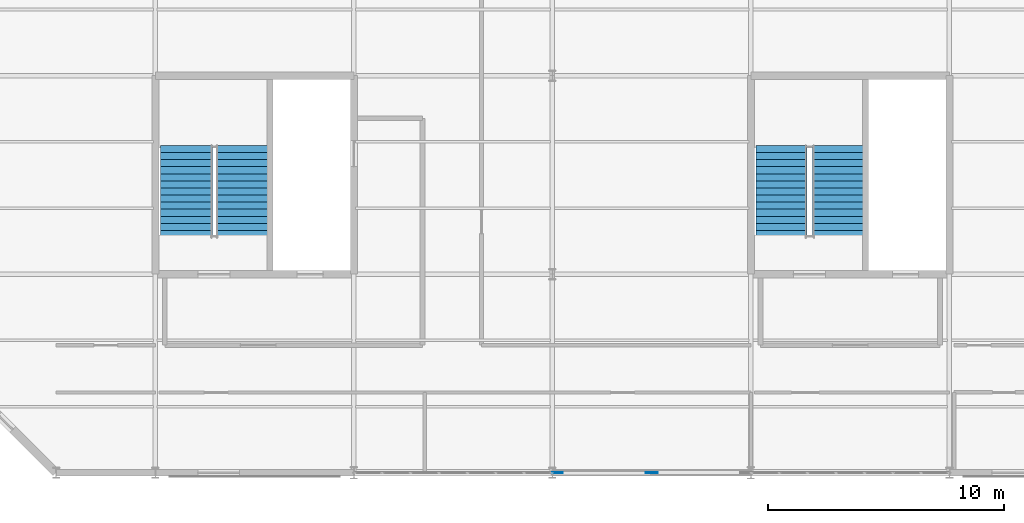
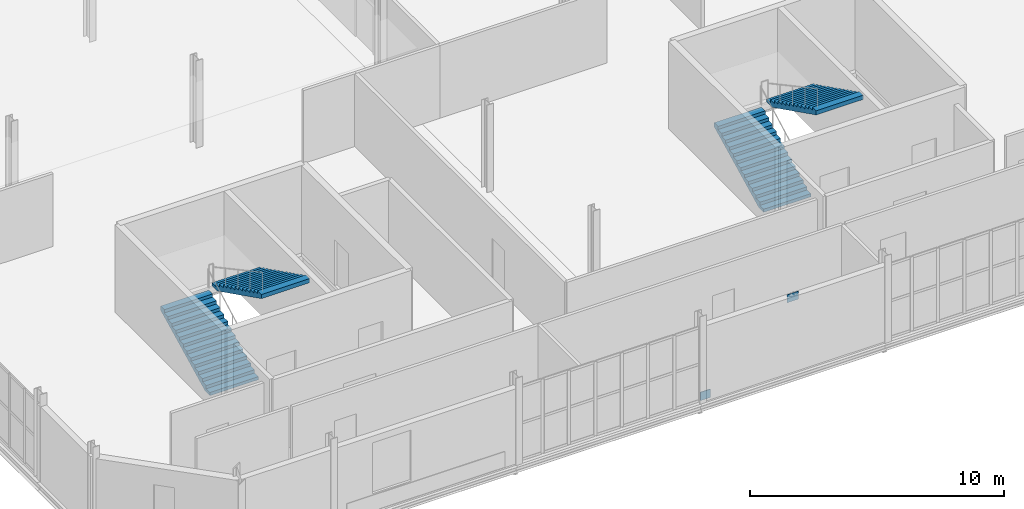
# One storey, part 52 of 65: 4 stair flights, 2 discrete accessories, 2 elements without a shape of their own.
"""IFC4 building model written with IfcOpenShell, lengths in metres."""

from ifc_helpers import new_model, si_unit, direction, frame, origin, origin_2d, place, context, subcontext, project, spatial, polyline, rectangle, outline, extrude, material, type_object, element, aggregate, save


model = new_model("IFC4")

# Units and contexts
model_context = context("Model", 3, precision=1e-05, world=origin(), true_north=direction((0.0, 1.0)))
body_context = subcontext(model_context, "Body", "Model", "MODEL_VIEW")
ifc_project = project(units=[si_unit("LENGTHUNIT", "METRE"), si_unit("AREAUNIT", "SQUARE_METRE"), si_unit("VOLUMEUNIT", "CUBIC_METRE"), si_unit("PLANEANGLEUNIT", "RADIAN"), si_unit("MASSUNIT", "GRAM", prefix="KILO")], contexts=[model_context])

# Site, building, storey
site_placement = place(None, origin())
site = spatial("IfcSite", under=ifc_project, at=site_placement, CompositionType="ELEMENT")
building_placement = place(site_placement, origin())
building = spatial("IfcBuilding", under=site, at=building_placement, Name="Qalvenar Corner Mobility Hub", CompositionType="ELEMENT")
storey_placement = place(building_placement, frame((0.0, 0.0, 17.39990234375)))
storey = spatial("IfcBuildingStorey", under=building, at=storey_placement, Name="L04", CompositionType="ELEMENT", Elevation=17.39990234375)

# Stair, stair flights
ifc_material_1 = material(Name="Concrete C35/45", Category="concrete")
stair_type_1 = type_object("IfcStairType", Name="STR-200-H42", PredefinedType="HALF_TURN_STAIR", material=ifc_material_1)
stair_1_placement = place(storey_placement, origin())
stair_1 = element("IfcStair", 1, at=stair_1_placement, inside=storey, type_object=stair_type_1, Name="Exit Stair ST2 L04-L05", PredefinedType="HALF_TURN_STAIR")
stair_flight_type_1 = type_object("IfcStairFlightType", Name="SFL-200-R14", PredefinedType="STRAIGHT", material=ifc_material_1)
stair_flight_1_placement = place(storey_placement, frame((34.89501953125, 9.949951171875, 0.0), z_axis=(0.0, 0.0, 1.0), x_axis=(0.0, 1.0, 0.0)))
stair_flight_1 = element("IfcStairFlight", 2, at=stair_flight_1_placement, type_object=stair_flight_type_1, Name="ST2 flight 1", NumberOfRisers=14, NumberOfTreads=13, PredefinedType="STRAIGHT", RiserHeight=0.15, TreadLength=0.3, context=body_context, shape_type="SweptSolid", body=[
    extrude(outline(polyline([(0.0, 0.0), (0.0, 0.14990234375), (0.300048828125, 0.14990234375), (0.300048828125, 0.300048828125), (0.60009765625, 0.300048828125), (0.60009765625, 0.449951171875), (0.89990234375, 0.449951171875), (0.89990234375, 0.60009765625), (1.199951171875, 0.60009765625), (1.199951171875, 0.75), (1.5, 0.75), (1.5, 0.89990234375), (1.800048828125, 0.89990234375), (1.800048828125, 1.050048828125), (2.10009765625, 1.050048828125), (2.10009765625, 1.199951171875), (2.39990234375, 1.199951171875), (2.39990234375, 1.35009765625), (2.699951171875, 1.35009765625), (2.699951171875, 1.5), (3.0, 1.5), (3.0, 1.64990234375), (3.300048828125, 1.64990234375), (3.300048828125, 1.800048828125), (3.60009765625, 1.800048828125), (3.60009765625, 1.949951171875), (3.89990234375, 1.949951171875), (3.89990234375, 2.10009765625), (3.89990234375, 1.748779296875), (0.40234375, 0.0), (0.0, 0.0)])), frame((0.0, 1.074951171875, 0.0), z_axis=(0.0, -1.0, 0.0), x_axis=(1.0, 0.0, 0.0)), (0.0, 0.0, 1.0), 2.14990234375),
])
stair_flight_2_placement = place(storey_placement, frame((37.284912109375, 13.85009765625, 2.10009765625), z_axis=(0.0, 0.0, 1.0), x_axis=(0.0, -1.0, 0.0)))
stair_flight_2 = element("IfcStairFlight", 3, at=stair_flight_2_placement, type_object=stair_flight_type_1, Name="ST2 flight 2", NumberOfRisers=14, NumberOfTreads=13, PredefinedType="STRAIGHT", RiserHeight=0.15, TreadLength=0.3, context=body_context, shape_type="SweptSolid", body=[
    extrude(outline(polyline([(0.0, 0.0), (0.0, 0.14990234375), (0.300048828125, 0.14990234375), (0.300048828125, 0.300048828125), (0.60009765625, 0.300048828125), (0.60009765625, 0.449951171875), (0.89990234375, 0.449951171875), (0.89990234375, 0.60009765625), (1.199951171875, 0.60009765625), (1.199951171875, 0.75), (1.5, 0.75), (1.5, 0.89990234375), (1.800048828125, 0.89990234375), (1.800048828125, 1.050048828125), (2.10009765625, 1.050048828125), (2.10009765625, 1.199951171875), (2.39990234375, 1.199951171875), (2.39990234375, 1.35009765625), (2.699951171875, 1.35009765625), (2.699951171875, 1.5), (3.0, 1.5), (3.0, 1.64990234375), (3.300048828125, 1.64990234375), (3.300048828125, 1.800048828125), (3.60009765625, 1.800048828125), (3.60009765625, 1.949951171875), (3.89990234375, 1.949951171875), (3.89990234375, 2.10009765625), (3.89990234375, 1.748779296875), (0.40234375, 0.0), (0.0, 0.0)])), frame((0.0, 1.074951171875, 0.0), z_axis=(0.0, -1.0, 0.0), x_axis=(1.0, 0.0, 0.0)), (0.0, 0.0, 1.0), 2.14990234375),
])
aggregate(stair_1, [stair_flight_1, stair_flight_2])

stair_type_2 = type_object("IfcStairType", Name="STR-220-H42", PredefinedType="HALF_TURN_STAIR", material=ifc_material_1)
stair_2_placement = place(storey_placement, origin())
stair_2 = element("IfcStair", 4, at=stair_2_placement, inside=storey, type_object=stair_type_2, Name="Exit Stair ST1 L04-L05", PredefinedType="HALF_TURN_STAIR")
stair_flight_type_2 = type_object("IfcStairFlightType", Name="SFL-220-R14", PredefinedType="STRAIGHT", material=ifc_material_1)
stair_flight_3_placement = place(storey_placement, frame((9.719970703125, 9.949951171875, 0.0), z_axis=(0.0, 0.0, 1.0), x_axis=(0.0, 1.0, 0.0)))
stair_flight_3 = element("IfcStairFlight", 5, at=stair_flight_3_placement, type_object=stair_flight_type_2, Name="ST1 flight 1", NumberOfRisers=14, NumberOfTreads=13, PredefinedType="STRAIGHT", RiserHeight=0.15, TreadLength=0.3, context=body_context, shape_type="SweptSolid", body=[
    extrude(outline(polyline([(0.0, 0.0), (0.0, 0.14990234375), (0.300048828125, 0.14990234375), (0.300048828125, 0.300048828125), (0.60009765625, 0.300048828125), (0.60009765625, 0.449951171875), (0.89990234375, 0.449951171875), (0.89990234375, 0.60009765625), (1.199951171875, 0.60009765625), (1.199951171875, 0.75), (1.5, 0.75), (1.5, 0.89990234375), (1.800048828125, 0.89990234375), (1.800048828125, 1.050048828125), (2.10009765625, 1.050048828125), (2.10009765625, 1.199951171875), (2.39990234375, 1.199951171875), (2.39990234375, 1.35009765625), (2.699951171875, 1.35009765625), (2.699951171875, 1.5), (3.0, 1.5), (3.0, 1.64990234375), (3.300048828125, 1.64990234375), (3.300048828125, 1.800048828125), (3.60009765625, 1.800048828125), (3.60009765625, 1.949951171875), (3.89990234375, 1.949951171875), (3.89990234375, 2.10009765625), (3.89990234375, 1.748779296875), (0.40234375, 0.0), (0.0, 0.0)])), frame((0.0, 1.10009765625, 0.0), z_axis=(0.0, -1.0, 0.0), x_axis=(1.0, 0.0, 0.0)), (0.0, 0.0, 1.0), 2.199951171875),
])
stair_flight_4_placement = place(storey_placement, frame((12.06005859375, 13.85009765625, 2.10009765625), z_axis=(0.0, 0.0, 1.0), x_axis=(0.0, -1.0, 0.0)))
stair_flight_4 = element("IfcStairFlight", 6, at=stair_flight_4_placement, type_object=stair_flight_type_2, Name="ST1 flight 2", NumberOfRisers=14, NumberOfTreads=13, PredefinedType="STRAIGHT", RiserHeight=0.15, TreadLength=0.3, context=body_context, shape_type="SweptSolid", body=[
    extrude(outline(polyline([(0.0, 0.0), (0.0, 0.14990234375), (0.300048828125, 0.14990234375), (0.300048828125, 0.300048828125), (0.60009765625, 0.300048828125), (0.60009765625, 0.449951171875), (0.89990234375, 0.449951171875), (0.89990234375, 0.60009765625), (1.199951171875, 0.60009765625), (1.199951171875, 0.75), (1.5, 0.75), (1.5, 0.89990234375), (1.800048828125, 0.89990234375), (1.800048828125, 1.050048828125), (2.10009765625, 1.050048828125), (2.10009765625, 1.199951171875), (2.39990234375, 1.199951171875), (2.39990234375, 1.35009765625), (2.699951171875, 1.35009765625), (2.699951171875, 1.5), (3.0, 1.5), (3.0, 1.64990234375), (3.300048828125, 1.64990234375), (3.300048828125, 1.800048828125), (3.60009765625, 1.800048828125), (3.60009765625, 1.949951171875), (3.89990234375, 1.949951171875), (3.89990234375, 2.10009765625), (3.89990234375, 1.748779296875), (0.40234375, 0.0), (0.0, 0.0)])), frame((0.0, 1.10009765625, 0.0), z_axis=(0.0, -1.0, 0.0), x_axis=(1.0, 0.0, 0.0)), (0.0, 0.0, 1.0), 2.199951171875),
])
aggregate(stair_2, [stair_flight_3, stair_flight_4])

# Discrete accessories
ifc_material_2 = material(Name="Steel S355", Category="steel")
discrete_accessory_type = type_object("IfcDiscreteAccessoryType", Name="ACC-GUSSET-PLT", PredefinedType="BRACKET", material=ifc_material_2)
discrete_accessory_1_placement = place(storey_placement, frame((29.39990234375, 0.0, 3.330078125), z_axis=(0.0, 0.0, 1.0), x_axis=(1.0, 0.0, 0.0)))
element("IfcDiscreteAccessory", 7, at=discrete_accessory_1_placement, inside=storey, type_object=discrete_accessory_type, Name="Chevron Apex Gusset Plate GP-A-013", PredefinedType="BRACKET", context=body_context, shape_type="SweptSolid", body=[
    extrude(rectangle(XDim=0.52001953125, YDim=0.02490234375, at=origin_2d()), origin(), (0.0, 0.0, 1.0), 0.3798828125),
])
discrete_accessory_2_placement = place(storey_placement, frame((25.419921875, 0.0, 0.000244140625), z_axis=(0.0, 0.0, 1.0), x_axis=(1.0, 0.0, 0.0)))
element("IfcDiscreteAccessory", 8, at=discrete_accessory_2_placement, inside=storey, type_object=discrete_accessory_type, Name="Brace Base Gusset Plate GP-B-014", PredefinedType="BRACKET", context=body_context, shape_type="SweptSolid", body=[
    extrude(rectangle(XDim=0.449951171875, YDim=0.02490234375, at=origin_2d()), origin(), (0.0, 0.0, 1.0), 0.39990234375),
])

save(model, "model.ifc")
